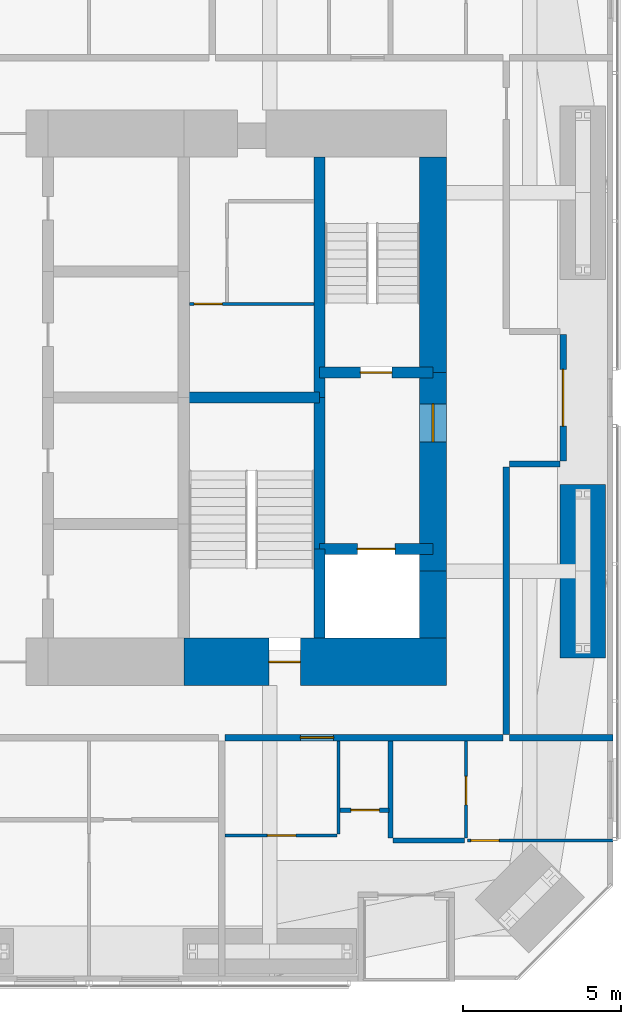
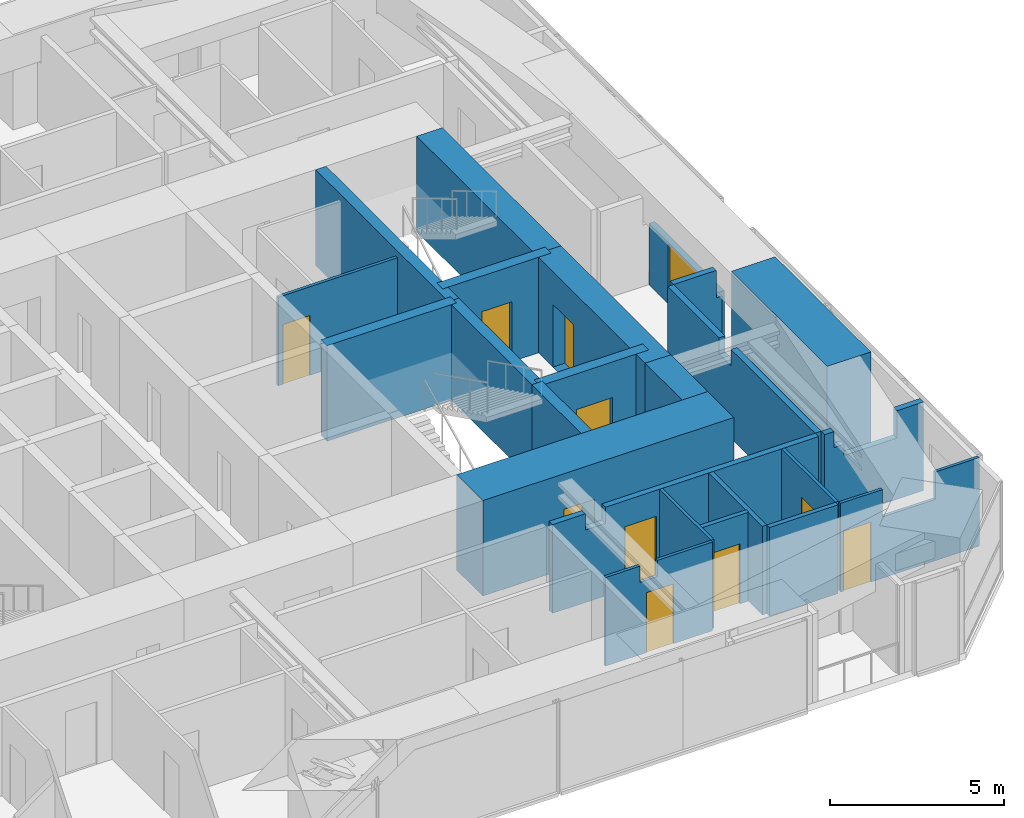
# One storey, part 20 of 23: 24 walls, 11 doors, 11 openings.
"""IFC4 building model written with IfcOpenShell, lengths in metres."""

from ifc_helpers import new_model, si_unit, direction, frame, frame_2d, origin, place, context, subcontext, project, spatial, polyline, rectangle, outline, extrude, material, layer, layer_set, constituent, constituent_set, type_object, element, fill, save


model = new_model("IFC4")

# Units and contexts
model_context = context("Model", 3, precision=1e-05, world=origin(), true_north=direction((0.0, 1.0)))
body_context = subcontext(model_context, "Body", "Model", "MODEL_VIEW")
ifc_project = project(units=[si_unit("LENGTHUNIT", "METRE"), si_unit("AREAUNIT", "SQUARE_METRE"), si_unit("VOLUMEUNIT", "CUBIC_METRE"), si_unit("PLANEANGLEUNIT", "RADIAN"), si_unit("MASSUNIT", "GRAM", prefix="KILO")], contexts=[model_context])

# Site, building, storey
site_placement = place(None, origin())
site = spatial("IfcSite", under=ifc_project, at=site_placement, CompositionType="ELEMENT")
building_placement = place(site_placement, origin())
building = spatial("IfcBuilding", under=site, at=building_placement, Name="Jalousie Tower", CompositionType="ELEMENT")
storey_placement = place(building_placement, frame((0.0, 0.0, 114.89990234375)))
storey = spatial("IfcBuildingStorey", under=building, at=storey_placement, Name="L31", CompositionType="ELEMENT", Elevation=114.89990234375)

# Walls
ifc_material_1 = material(Name="Concrete block ASTM C90", Category="concrete")
ifc_constituent_1 = constituent(ifc_material_1, Name="Body")
ifc_material_2 = material(Name="Render")
ifc_constituent_2 = constituent(ifc_material_2, Name="Finish")
ifc_constituent_set_1 = constituent_set(constituents=[ifc_constituent_1, ifc_constituent_2])
wall_type_1 = type_object("IfcWallType", Name="BATHROOM WALL 150", PredefinedType="PLUMBINGWALL", material=ifc_constituent_set_1)
wall_1_placement = place(storey_placement, frame((42.52490234375, 4.4638671875, 0.0), z_axis=(0.0, 0.0, 1.0), x_axis=(1.0, 0.0, 0.0)))
element("IfcWall", 1, at=wall_1_placement, inside=storey, type_object=wall_type_1, Name="Bathroom Wall 150 L31", PredefinedType="PLUMBINGWALL", context=body_context, shape_type="SweptSolid", body=[
    extrude(rectangle(XDim=2.275146484375, YDim=0.14990234375, at=frame_2d((1.1376953125, 0.0))), origin(), (0.0, 0.0, 1.0), 3.110107421875),
])
wall_2_placement = place(storey_placement, frame((42.449951171875, 4.538818359375, 0.0), z_axis=(0.0, 0.0, 1.0), x_axis=(0.0, 1.0, 0.0)))
element("IfcWall", 2, at=wall_2_placement, inside=storey, type_object=wall_type_1, Name="Bathroom Wall 150 L31", PredefinedType="PLUMBINGWALL", context=body_context, shape_type="SweptSolid", body=[
    extrude(rectangle(XDim=3.086181640625, YDim=0.14990234375, at=frame_2d((1.54296875, 0.0))), origin(), (0.0, 0.0, 1.0), 3.110107421875),
])

# Wall, opening, door
wall_3_placement = place(storey_placement, frame((40.85009765625, 5.425048828125, 0.0), z_axis=(0.0, 0.0, 1.0), x_axis=(1.0, 0.0, 0.0)))
wall_3 = element("IfcWall", 3, at=wall_3_placement, inside=storey, type_object=wall_type_1, Name="Bathroom Wall 150 L31", PredefinedType="PLUMBINGWALL", context=body_context, shape_type="SweptSolid", body=[
    extrude(rectangle(XDim=1.5498046875, YDim=0.14990234375, at=frame_2d((0.77490234375, 0.0))), origin(), (0.0, 0.0, 1.0), 3.110107421875),
])
opening_1_placement = place(wall_3_placement, frame((0.35009765625, 0.0, 0.0)))
opening_1 = element("IfcOpeningElement", 4, at=opening_1_placement, cuts=wall_3, Name="Opening D7", PredefinedType="OPENING", context=body_context, shape_type="SweptSolid", body=[
    extrude(rectangle(XDim=0.89990234375, YDim=2.10009765625, at=frame_2d((0.449951171875, 1.050048828125))), frame((0.0, 0.0849609375, 0.0), z_axis=(0.0, -1.0, 0.0), x_axis=(1.0, 0.0, 0.0)), (0.0, 0.0, 1.0), 0.169921875),
])
ifc_material_3 = material(Name="Timber door", Category="wood")
door_type_1 = type_object("IfcDoorType", Name="INTERNAL DOOR 900", OperationType="SINGLE_SWING_LEFT", PredefinedType="DOOR", material=ifc_material_3)
door_1_placement = place(opening_1_placement, origin())
door_1 = element("IfcDoor", 5, at=door_1_placement, inside=storey, type_object=door_type_1, Name="Apartment 3102 guest WC door", OperationType="SINGLE_SWING_RIGHT", OverallHeight=2.10009765625, OverallWidth=0.89990234375, PredefinedType="DOOR", context=body_context, shape_type="SweptSolid", body=[
    extrude(rectangle(XDim=0.89990234375, YDim=2.10009765625, at=frame_2d((0.449951171875, 1.050048828125))), frame((0.0, 0.02490234375, 0.0), z_axis=(0.0, -1.0, 0.0), x_axis=(1.0, 0.0, 0.0)), (0.0, 0.0, 1.0), 0.050048828125),
])
fill(opening_1, door_1)

ifc_material_4 = material(Name="Concrete f'c 120 MPa", Category="concrete")
ifc_layer_1 = layer(ifc_material_4, 1.5)
ifc_layer_set_1 = layer_set([ifc_layer_1], Name="Concrete f'c 120 MPa")
wall_type_2 = type_object("IfcWallType", Name="CORE WALL 1500", PredefinedType="SHEAR", material=ifc_layer_set_1)
wall_4_placement = place(storey_placement, frame((35.89990234375, 10.125, 0.0), z_axis=(0.0, 0.0, 1.0), x_axis=(1.0, 0.0, 0.0)))
wall_4 = element("IfcWall", 6, at=wall_4_placement, inside=storey, type_object=wall_type_2, Name="Core wall SD L31", PredefinedType="SHEAR", context=body_context, shape_type="SweptSolid", body=[
    extrude(rectangle(XDim=8.3251953125, YDim=1.5, at=frame_2d((4.16259765625, 0.0))), origin(), (0.0, 0.0, 1.0), 3.35009765625),
])
opening_2_placement = place(wall_4_placement, frame((2.699951171875, 0.0, 0.0)))
opening_2 = element("IfcOpeningElement", 7, at=opening_2_placement, cuts=wall_4, Name="Opening D10", PredefinedType="OPENING", context=body_context, shape_type="SweptSolid", body=[
    extrude(rectangle(XDim=1.0, YDim=2.10009765625, at=frame_2d((0.5, 1.050048828125))), frame((0.0, 0.760009765625, 0.0), z_axis=(0.0, -1.0, 0.0), x_axis=(1.0, 0.0, 0.0)), (0.0, 0.0, 1.0), 1.52001953125),
])
ifc_material_5 = material(Name="Steel fire door", Category="steel")
door_type_2 = type_object("IfcDoorType", Name="STAIR DOOR 1000", OperationType="SINGLE_SWING_LEFT", PredefinedType="DOOR", material=ifc_material_5)
door_2_placement = place(opening_2_placement, origin())
door_2 = element("IfcDoor", 8, at=door_2_placement, inside=storey, type_object=door_type_2, Name="Exit stair C door", OperationType="SINGLE_SWING_RIGHT", OverallHeight=2.10009765625, OverallWidth=1.0, PredefinedType="DOOR", context=body_context, shape_type="SweptSolid", body=[
    extrude(rectangle(XDim=1.0, YDim=2.10009765625, at=frame_2d((0.5, 1.050048828125))), frame((0.0, 0.02490234375, 0.0), z_axis=(0.0, -1.0, 0.0), x_axis=(1.0, 0.0, 0.0)), (0.0, 0.0, 1.0), 0.050048828125),
])
fill(opening_2, door_2)

# Walls
ifc_material_6 = material(Name="Concrete f'c 120 MPa", Category="concrete")
ifc_layer_2 = layer(ifc_material_6, 0.35009765625)
ifc_layer_set_2 = layer_set([ifc_layer_2], Name="Concrete f'c 120 MPa")
wall_type_3 = type_object("IfcWallType", Name="CORE WALL 350", PredefinedType="SHEAR", material=ifc_layer_set_2)
wall_5_placement = place(storey_placement, frame((40.199951171875, 10.875, 0.0), z_axis=(0.0, 0.0, 1.0), x_axis=(0.0, 1.0, 0.0)))
element("IfcWall", 9, at=wall_5_placement, inside=storey, type_object=wall_type_3, Name="Core wall X40.2A L31", PredefinedType="SHEAR", context=body_context, shape_type="SweptSolid", body=[
    extrude(rectangle(XDim=2.824951171875, YDim=0.35009765625, at=frame_2d((1.41259765625, 0.0))), origin(), (0.0, 0.0, 1.0), 3.35009765625),
])
wall_6_placement = place(storey_placement, frame((40.199951171875, 13.699951171875, 0.0), z_axis=(0.0, 0.0, 1.0), x_axis=(0.0, 1.0, 0.0)))
element("IfcWall", 10, at=wall_6_placement, inside=storey, type_object=wall_type_3, Name="Core wall X40.2B L31", PredefinedType="SHEAR", context=body_context, shape_type="SweptSolid", body=[
    extrude(rectangle(XDim=4.800048828125, YDim=0.35009765625, at=frame_2d((2.39990234375, 0.0))), origin(), (0.0, 0.0, 1.0), 3.35009765625),
])
wall_7_placement = place(storey_placement, frame((40.199951171875, 18.5, 0.0), z_axis=(0.0, 0.0, 1.0), x_axis=(0.0, 1.0, 0.0)))
element("IfcWall", 11, at=wall_7_placement, inside=storey, type_object=wall_type_3, Name="Core wall X40.2C L31", PredefinedType="SHEAR", context=body_context, shape_type="SweptSolid", body=[
    extrude(rectangle(XDim=7.625, YDim=0.35009765625, at=frame_2d((3.8125, 0.0))), origin(), (0.0, 0.0, 1.0), 3.35009765625),
])
wall_8_placement = place(storey_placement, frame((35.89990234375, 18.5, 0.0), z_axis=(0.0, 0.0, 1.0), x_axis=(1.0, 0.0, 0.0)))
element("IfcWall", 12, at=wall_8_placement, inside=storey, type_object=wall_type_3, Name="Core wall Y35.9-18.5 L31", PredefinedType="SHEAR", context=body_context, shape_type="SweptSolid", body=[
    extrude(rectangle(XDim=4.300048828125, YDim=0.35009765625, at=frame_2d((2.14990234375, 0.0))), origin(), (0.0, 0.0, 1.0), 3.35009765625),
])

# Wall, opening, door
wall_9_placement = place(storey_placement, frame((40.199951171875, 13.699951171875, 0.0), z_axis=(0.0, 0.0, 1.0), x_axis=(1.0, 0.0, 0.0)))
wall_9 = element("IfcWall", 13, at=wall_9_placement, inside=storey, type_object=wall_type_3, Name="Core wall Y40.2-13.7 L31", PredefinedType="SHEAR", context=body_context, shape_type="SweptSolid", body=[
    extrude(rectangle(XDim=3.60009765625, YDim=0.35009765625, at=frame_2d((1.800048828125, 0.0))), origin(), (0.0, 0.0, 1.0), 3.35009765625),
])
opening_3_placement = place(wall_9_placement, frame((1.199951171875, 0.0, 0.0)))
opening_3 = element("IfcOpeningElement", 14, at=opening_3_placement, cuts=wall_9, Name="Opening LD2", PredefinedType="OPENING", context=body_context, shape_type="SweptSolid", body=[
    extrude(rectangle(XDim=1.199951171875, YDim=2.10009765625, at=frame_2d((0.60009765625, 1.050048828125))), frame((0.0, 0.18505859375, 0.0), z_axis=(0.0, -1.0, 0.0), x_axis=(1.0, 0.0, 0.0)), (0.0, 0.0, 1.0), 0.3701171875),
])
ifc_material_7 = material(Name="Steel lift landing door", Category="steel")
door_type_3 = type_object("IfcDoorType", Name="LIFT LANDING DOOR 1200", OperationType="SLIDING_TO_LEFT", PredefinedType="DOOR", material=ifc_material_7)
door_3_placement = place(opening_3_placement, origin())
door_3 = element("IfcDoor", 15, at=door_3_placement, inside=storey, type_object=door_type_3, Name="Lift F2 landing door", OperationType="SLIDING_TO_LEFT", OverallHeight=2.10009765625, OverallWidth=1.199951171875, PredefinedType="DOOR", context=body_context, shape_type="SweptSolid", body=[
    extrude(rectangle(XDim=1.199951171875, YDim=2.10009765625, at=frame_2d((0.60009765625, 1.050048828125))), frame((0.0, 0.02490234375, 0.0), z_axis=(0.0, -1.0, 0.0), x_axis=(1.0, 0.0, 0.0)), (0.0, 0.0, 1.0), 0.050048828125),
])
fill(opening_3, door_3)

wall_10_placement = place(storey_placement, frame((40.199951171875, 19.300048828125, 0.0), z_axis=(0.0, 0.0, 1.0), x_axis=(1.0, 0.0, 0.0)))
wall_10 = element("IfcWall", 16, at=wall_10_placement, inside=storey, type_object=wall_type_3, Name="Core wall Y40.2-19.3 L31", PredefinedType="SHEAR", context=body_context, shape_type="SweptSolid", body=[
    extrude(rectangle(XDim=3.60009765625, YDim=0.35009765625, at=frame_2d((1.800048828125, 0.0))), origin(), (0.0, 0.0, 1.0), 3.35009765625),
])
opening_4_placement = place(wall_10_placement, frame((1.300048828125, 0.0, 0.0)))
opening_4 = element("IfcOpeningElement", 17, at=opening_4_placement, cuts=wall_10, Name="Opening D10", PredefinedType="OPENING", context=body_context, shape_type="SweptSolid", body=[
    extrude(rectangle(XDim=1.0, YDim=2.10009765625, at=frame_2d((0.5, 1.050048828125))), frame((0.0, 0.18505859375, 0.0), z_axis=(0.0, -1.0, 0.0), x_axis=(1.0, 0.0, 0.0)), (0.0, 0.0, 1.0), 0.3701171875),
])
door_4_placement = place(opening_4_placement, origin())
door_4 = element("IfcDoor", 18, at=door_4_placement, inside=storey, type_object=door_type_2, Name="Exit stair B door", OperationType="SINGLE_SWING_RIGHT", OverallHeight=2.10009765625, OverallWidth=1.0, PredefinedType="DOOR", context=body_context, shape_type="SweptSolid", body=[
    extrude(rectangle(XDim=1.0, YDim=2.10009765625, at=frame_2d((0.5, 1.050048828125))), frame((0.0, 0.02490234375, 0.0), z_axis=(0.0, -1.0, 0.0), x_axis=(1.0, 0.0, 0.0)), (0.0, 0.0, 1.0), 0.050048828125),
])
fill(opening_4, door_4)

# Wall
ifc_material_8 = material(Name="Concrete f'c 120 MPa", Category="concrete")
ifc_layer_3 = layer(ifc_material_8, 0.85009765625)
ifc_layer_set_3 = layer_set([ifc_layer_3], Name="Concrete f'c 120 MPa")
wall_type_4 = type_object("IfcWallType", Name="CORE WALL 850", PredefinedType="SHEAR", material=ifc_layer_set_3)
wall_11_placement = place(storey_placement, frame((43.800048828125, 10.875, 0.0), z_axis=(0.0, 0.0, 1.0), x_axis=(0.0, 1.0, 0.0)))
element("IfcWall", 19, at=wall_11_placement, inside=storey, type_object=wall_type_4, Name="Core wall EA L31", PredefinedType="SHEAR", context=body_context, shape_type="SweptSolid", body=[
    extrude(rectangle(XDim=2.125, YDim=0.85009765625, at=frame_2d((1.0625, 0.0))), origin(), (0.0, 0.0, 1.0), 3.35009765625),
])

# Wall, opening, door
wall_12_placement = place(storey_placement, frame((43.800048828125, 13.0, 0.0), z_axis=(0.0, 0.0, 1.0), x_axis=(0.0, 1.0, 0.0)))
wall_12 = element("IfcWall", 20, at=wall_12_placement, inside=storey, type_object=wall_type_4, Name="Core wall EB L31", PredefinedType="SHEAR", context=body_context, shape_type="SweptSolid", body=[
    extrude(rectangle(XDim=6.300048828125, YDim=0.85009765625, at=frame_2d((3.14990234375, 0.0))), origin(), (0.0, 0.0, 1.0), 3.35009765625),
])
opening_5_placement = place(wall_12_placement, frame((4.10009765625, 0.0, 0.0)))
opening_5 = element("IfcOpeningElement", 21, at=opening_5_placement, cuts=wall_12, Name="Opening D11", PredefinedType="OPENING", context=body_context, shape_type="SweptSolid", body=[
    extrude(rectangle(XDim=1.199951171875, YDim=2.199951171875, at=frame_2d((0.60009765625, 1.10009765625))), frame((0.0, 0.43505859375, 0.0), z_axis=(0.0, -1.0, 0.0), x_axis=(1.0, 0.0, 0.0)), (0.0, 0.0, 1.0), 0.8701171875),
])
ifc_material_9 = material(Name="Steel fire door", Category="steel")
door_type_4 = type_object("IfcDoorType", Name="FIRE DOOR 1200", OperationType="SINGLE_SWING_LEFT", PredefinedType="DOOR", material=ifc_material_9)
door_5_placement = place(opening_5_placement, origin())
door_5 = element("IfcDoor", 22, at=door_5_placement, inside=storey, type_object=door_type_4, Name="Fire-fighting lobby B door", OperationType="SINGLE_SWING_RIGHT", OverallHeight=2.199951171875, OverallWidth=1.199951171875, PredefinedType="DOOR", context=body_context, shape_type="SweptSolid", body=[
    extrude(rectangle(XDim=1.199951171875, YDim=2.199951171875, at=frame_2d((0.60009765625, 1.10009765625))), frame((0.0, 0.02490234375, 0.0), z_axis=(0.0, -1.0, 0.0), x_axis=(1.0, 0.0, 0.0)), (0.0, 0.0, 1.0), 0.050048828125),
])
fill(opening_5, door_5)

# Wall
wall_13_placement = place(storey_placement, frame((43.800048828125, 19.300048828125, 0.0), z_axis=(0.0, 0.0, 1.0), x_axis=(0.0, 1.0, 0.0)))
element("IfcWall", 23, at=wall_13_placement, inside=storey, type_object=wall_type_4, Name="Core wall EC L31", PredefinedType="SHEAR", context=body_context, shape_type="SweptSolid", body=[
    extrude(rectangle(XDim=6.824951171875, YDim=0.85009765625, at=frame_2d((3.41259765625, 0.0))), origin(), (0.0, 0.0, 1.0), 3.35009765625),
])

# Wall, opening, door
ifc_material_10 = material(Name="Concrete block ASTM C90", Category="concrete")
ifc_constituent_3 = constituent(ifc_material_10, Name="Body")
ifc_material_11 = material(Name="Render")
ifc_constituent_4 = constituent(ifc_material_11, Name="Finish")
ifc_constituent_set_2 = constituent_set(constituents=[ifc_constituent_3, ifc_constituent_4])
wall_type_5 = type_object("IfcWallType", Name="CORRIDOR WALL 200", PredefinedType="PARTITIONING", material=ifc_constituent_set_2)
wall_14_placement = place(storey_placement, frame((37.199951171875, 7.72509765625, 0.0), z_axis=(0.0, 0.0, 1.0), x_axis=(1.0, 0.0, 0.0)))
wall_14 = element("IfcWall", 24, at=wall_14_placement, inside=storey, type_object=wall_type_5, Name="Corridor Wall 200 L31", PredefinedType="PARTITIONING", context=body_context, shape_type="SweptSolid", body=[
    extrude(outline(polyline([(0.0, 0.0), (8.824951171875, 0.0), (8.824951171875, 3.110107421875), (1.76220703125, 3.110107421875), (1.76220703125, 2.541015625), (1.087646484375, 2.541015625), (1.087646484375, 3.110107421875), (0.0, 3.110107421875), (0.0, 0.0)])), frame((0.0, 0.10009765625, 0.0), z_axis=(0.0, -1.0, 0.0), x_axis=(1.0, 0.0, 0.0)), (0.0, 0.0, 1.0), 0.199951171875),
])
opening_6_placement = place(wall_14_placement, frame((2.39990234375, 0.0, 0.0)))
opening_6 = element("IfcOpeningElement", 25, at=opening_6_placement, cuts=wall_14, Name="Opening D1", PredefinedType="OPENING", context=body_context, shape_type="SweptSolid", body=[
    extrude(rectangle(XDim=1.050048828125, YDim=2.199951171875, at=frame_2d((0.52490234375, 1.10009765625))), frame((0.0, 0.10986328125, 0.0), z_axis=(0.0, -1.0, 0.0), x_axis=(1.0, 0.0, 0.0)), (0.0, 0.0, 1.0), 0.219970703125),
])
ifc_material_12 = material(Name="Timber fire door", Category="wood")
door_type_5 = type_object("IfcDoorType", Name="APARTMENT ENTRANCE DOOR 1050", OperationType="SINGLE_SWING_LEFT", PredefinedType="DOOR", material=ifc_material_12)
door_6_placement = place(opening_6_placement, frame((1.050048828125, 0.0, 0.0), z_axis=(0.0, 0.0, 1.0), x_axis=(-1.0, 0.0, 0.0)))
door_6 = element("IfcDoor", 26, at=door_6_placement, inside=storey, type_object=door_type_5, Name="Apartment 3102 entrance", OperationType="SINGLE_SWING_LEFT", OverallHeight=2.199951171875, OverallWidth=1.050048828125, PredefinedType="DOOR", context=body_context, shape_type="SweptSolid", body=[
    extrude(rectangle(XDim=1.050048828125, YDim=2.199951171875, at=frame_2d((0.52490234375, 1.10009765625))), frame((0.0, 0.02490234375, 0.0), z_axis=(0.0, -1.0, 0.0), x_axis=(1.0, 0.0, 0.0)), (0.0, 0.0, 1.0), 0.050048828125),
])
fill(opening_6, door_6)

# Wall
wall_15_placement = place(storey_placement, frame((46.125, 7.824951171875, 0.0), z_axis=(0.0, 0.0, 1.0), x_axis=(0.0, 1.0, 0.0)))
element("IfcWall", 27, at=wall_15_placement, inside=storey, type_object=wall_type_5, Name="Corridor Wall 200 L31", PredefinedType="PARTITIONING", context=body_context, shape_type="SweptSolid", body=[
    extrude(outline(polyline([(0.0, 0.0), (8.47509765625, 0.0), (8.47509765625, 3.110107421875), (5.51220703125, 3.110107421875), (5.51220703125, 2.541015625), (4.837646484375, 2.541015625), (4.837646484375, 3.110107421875), (0.0, 3.110107421875), (0.0, 0.0)])), frame((0.0, 0.10009765625, 0.0), z_axis=(0.0, -1.0, 0.0), x_axis=(1.0, 0.0, 0.0)), (0.0, 0.0, 1.0), 0.199951171875),
])

# Wall, opening, door
wall_16_placement = place(storey_placement, frame((47.925048828125, 16.5, 0.0), z_axis=(0.0, 0.0, 1.0), x_axis=(0.0, 1.0, 0.0)))
wall_16 = element("IfcWall", 28, at=wall_16_placement, inside=storey, type_object=wall_type_5, Name="Corridor Wall 200 L31", PredefinedType="PARTITIONING", context=body_context, shape_type="SweptSolid", body=[
    extrude(outline(polyline([(0.0, 0.0), (4.0, 0.0), (4.0, 3.110107421875), (4.0, 2.150146484375), (0.0, 2.150146484375), (0.0, 3.110107421875), (0.0, 0.0)])), frame((0.0, 0.10009765625, 0.0), z_axis=(0.0, -1.0, 0.0), x_axis=(1.0, 0.0, 0.0)), (0.0, 0.0, 1.0), 0.199951171875),
])
opening_7_placement = place(wall_16_placement, frame((1.10009765625, 0.0, 0.0)))
opening_7 = element("IfcOpeningElement", 29, at=opening_7_placement, cuts=wall_16, Name="Opening D22", PredefinedType="OPENING", context=body_context, shape_type="SweptSolid", body=[
    extrude(rectangle(XDim=1.800048828125, YDim=2.10009765625, at=frame_2d((0.89990234375, 1.050048828125))), frame((0.0, 0.10986328125, 0.0), z_axis=(0.0, -1.0, 0.0), x_axis=(1.0, 0.0, 0.0)), (0.0, 0.0, 1.0), 0.219970703125),
])
ifc_material_13 = material(Name="Timber fire door", Category="wood")
door_type_6 = type_object("IfcDoorType", Name="CORRIDOR DOUBLE DOOR 1800", OperationType="DOUBLE_DOOR_SINGLE_SWING", PredefinedType="DOOR", material=ifc_material_13)
door_7_placement = place(opening_7_placement, frame((1.800048828125, 0.0, 0.0), z_axis=(0.0, 0.0, 1.0), x_axis=(-1.0, 0.0, 0.0)))
door_7 = element("IfcDoor", 30, at=door_7_placement, inside=storey, type_object=door_type_6, Name="Lounge door", OperationType="DOUBLE_DOOR_SINGLE_SWING", OverallHeight=2.10009765625, OverallWidth=1.800048828125, PredefinedType="DOOR", context=body_context, shape_type="SweptSolid", body=[
    extrude(rectangle(XDim=1.800048828125, YDim=2.10009765625, at=frame_2d((0.89990234375, 1.050048828125))), frame((0.0, 0.02490234375, 0.0), z_axis=(0.0, -1.0, 0.0), x_axis=(1.0, 0.0, 0.0)), (0.0, 0.0, 1.0), 0.050048828125),
])
fill(opening_7, door_7)

# Wall
wall_17_placement = place(storey_placement, frame((46.22509765625, 16.39990234375, 0.0), z_axis=(0.0, 0.0, 1.0), x_axis=(1.0, 0.0, 0.0)))
element("IfcWall", 31, at=wall_17_placement, inside=storey, type_object=wall_type_5, Name="Corridor Wall 200 L31", PredefinedType="PARTITIONING", context=body_context, shape_type="SweptSolid", body=[
    extrude(outline(polyline([(0.0, 0.0), (1.599853515625, 0.0), (1.60009765625, 3.110107421875), (1.60009765625, 2.150146484375), (1.4150390625, 2.150146484375), (1.4150390625, 3.110107421875), (0.0, 3.110107421875), (0.0, 0.0)])), frame((0.0, 0.10009765625, 0.0), z_axis=(0.0, -1.0, 0.0), x_axis=(1.0, 0.0, 0.0)), (0.0, 0.0, 1.0), 0.199951171875),
])

# Wall, opening, door
ifc_material_14 = material(Name="Gypsum board", Category="gypsum")
ifc_constituent_5 = constituent(ifc_material_14, Name="Body")
ifc_material_15 = material(Name="Light-gauge steel studs ASTM A653 SS Grade 33", Category="steel")
ifc_constituent_6 = constituent(ifc_material_15, Name="Framing")
ifc_constituent_set_3 = constituent_set(constituents=[ifc_constituent_5, ifc_constituent_6])
wall_type_6 = type_object("IfcWallType", Name="PARTITION 100", PredefinedType="PARTITIONING", material=ifc_constituent_set_3)
wall_18_placement = place(storey_placement, frame((44.85009765625, 4.538818359375, 0.0), z_axis=(0.0, 0.0, 1.0), x_axis=(0.0, 1.0, 0.0)))
wall_18 = element("IfcWall", 32, at=wall_18_placement, inside=storey, type_object=wall_type_6, Name="Partition 100 L31", PredefinedType="PARTITIONING", context=body_context, shape_type="SweptSolid", body=[
    extrude(rectangle(XDim=3.086181640625, YDim=0.10009765625, at=frame_2d((1.54296875, 0.0))), origin(), (0.0, 0.0, 1.0), 3.110107421875),
])
opening_8_placement = place(wall_18_placement, frame((1.0556640625, 0.0, 0.0)))
opening_8 = element("IfcOpeningElement", 33, at=opening_8_placement, cuts=wall_18, Name="Opening D3", PredefinedType="OPENING", context=body_context, shape_type="SweptSolid", body=[
    extrude(rectangle(XDim=0.89990234375, YDim=2.10009765625, at=frame_2d((0.449951171875, 1.050048828125))), frame((0.0, 0.06005859375, 0.0), z_axis=(0.0, -1.0, 0.0), x_axis=(1.0, 0.0, 0.0)), (0.0, 0.0, 1.0), 0.1201171875),
])
ifc_material_16 = material(Name="Timber door", Category="wood")
door_type_7 = type_object("IfcDoorType", Name="BATHROOM DOOR 900", OperationType="SINGLE_SWING_LEFT", PredefinedType="DOOR", material=ifc_material_16)
door_8_placement = place(opening_8_placement, origin())
door_8 = element("IfcDoor", 34, at=door_8_placement, inside=storey, type_object=door_type_7, Name="Apartment 3102 bedroom 1 bathroom door", OperationType="SINGLE_SWING_LEFT", OverallHeight=2.10009765625, OverallWidth=0.89990234375, PredefinedType="DOOR", context=body_context, shape_type="SweptSolid", body=[
    extrude(rectangle(XDim=0.89990234375, YDim=2.10009765625, at=frame_2d((0.449951171875, 1.050048828125))), frame((0.0, 0.02490234375, 0.0), z_axis=(0.0, -1.0, 0.0), x_axis=(1.0, 0.0, 0.0)), (0.0, 0.0, 1.0), 0.050048828125),
])
fill(opening_8, door_8)

wall_19_placement = place(storey_placement, frame((44.89990234375, 4.4638671875, 0.0), z_axis=(0.0, 0.0, 1.0), x_axis=(1.0, 0.0, 0.0)))
wall_19 = element("IfcWall", 35, at=wall_19_placement, inside=storey, type_object=wall_type_6, Name="Partition 100 L31", PredefinedType="PARTITIONING", context=body_context, shape_type="SweptSolid", body=[
    extrude(outline(polyline([(0.0, 0.0), (4.60009765625, 0.0), (4.60009765625, 3.110107421875), (3.136962890625, 3.110107421875), (3.136962890625, 2.150146484375), (1.39453125, 2.150146484375), (1.39453125, 3.110107421875), (0.0, 3.110107421875), (0.0, 0.0)])), frame((0.0, 0.050048828125, 0.0), z_axis=(0.0, -1.0, 0.0), x_axis=(1.0, 0.0, 0.0)), (0.0, 0.0, 1.0), 0.10009765625),
])
opening_9_placement = place(wall_19_placement, frame((0.10009765625, 0.0, 0.0)))
opening_9 = element("IfcOpeningElement", 36, at=opening_9_placement, cuts=wall_19, Name="Opening D2", PredefinedType="OPENING", context=body_context, shape_type="SweptSolid", body=[
    extrude(rectangle(XDim=0.89990234375, YDim=2.10009765625, at=frame_2d((0.449951171875, 1.050048828125))), frame((0.0, 0.06005859375, 0.0), z_axis=(0.0, -1.0, 0.0), x_axis=(1.0, 0.0, 0.0)), (0.0, 0.0, 1.0), 0.1201171875),
])
ifc_material_17 = material(Name="Timber door", Category="wood")
door_type_8 = type_object("IfcDoorType", Name="BEDROOM DOOR 900", OperationType="SINGLE_SWING_LEFT", PredefinedType="DOOR", material=ifc_material_17)
door_9_placement = place(opening_9_placement, origin())
door_9 = element("IfcDoor", 37, at=door_9_placement, inside=storey, type_object=door_type_8, Name="Apartment 3102 bedroom 1 door", OperationType="SINGLE_SWING_LEFT", OverallHeight=2.10009765625, OverallWidth=0.89990234375, PredefinedType="DOOR", context=body_context, shape_type="SweptSolid", body=[
    extrude(rectangle(XDim=0.89990234375, YDim=2.10009765625, at=frame_2d((0.449951171875, 1.050048828125))), frame((0.0, 0.02490234375, 0.0), z_axis=(0.0, -1.0, 0.0), x_axis=(1.0, 0.0, 0.0)), (0.0, 0.0, 1.0), 0.050048828125),
])
fill(opening_9, door_9)

wall_20_placement = place(storey_placement, frame((37.199951171875, 4.625, 0.0), z_axis=(0.0, 0.0, 1.0), x_axis=(1.0, 0.0, 0.0)))
wall_20 = element("IfcWall", 38, at=wall_20_placement, inside=storey, type_object=wall_type_6, Name="Partition 100 L31", PredefinedType="PARTITIONING", context=body_context, shape_type="SweptSolid", body=[
    extrude(outline(polyline([(0.0, 0.0), (3.550048828125, 0.0), (3.550048828125, 3.110107421875), (1.71240234375, 3.110107421875), (1.71240234375, 2.541015625), (1.1376953125, 2.541015625), (1.1376953125, 3.110107421875), (0.0, 3.110107421875), (0.0, 0.0)])), frame((0.0, 0.050048828125, 0.0), z_axis=(0.0, -1.0, 0.0), x_axis=(1.0, 0.0, 0.0)), (0.0, 0.0, 1.0), 0.10009765625),
])
opening_10_placement = place(wall_20_placement, frame((1.35009765625, 0.0, 0.0)))
opening_10 = element("IfcOpeningElement", 39, at=opening_10_placement, cuts=wall_20, Name="Opening D7", PredefinedType="OPENING", context=body_context, shape_type="SweptSolid", body=[
    extrude(rectangle(XDim=0.89990234375, YDim=2.10009765625, at=frame_2d((0.449951171875, 1.050048828125))), frame((0.0, 0.06005859375, 0.0), z_axis=(0.0, -1.0, 0.0), x_axis=(1.0, 0.0, 0.0)), (0.0, 0.0, 1.0), 0.1201171875),
])
door_10_placement = place(opening_10_placement, frame((0.89990234375, 0.0, 0.0), z_axis=(0.0, 0.0, 1.0), x_axis=(-1.0, 0.0, 0.0)))
door_10 = element("IfcDoor", 40, at=door_10_placement, inside=storey, type_object=door_type_1, Name="Apartment 3102 kitchen door", OperationType="SINGLE_SWING_RIGHT", OverallHeight=2.10009765625, OverallWidth=0.89990234375, PredefinedType="DOOR", context=body_context, shape_type="SweptSolid", body=[
    extrude(rectangle(XDim=0.89990234375, YDim=2.10009765625, at=frame_2d((0.449951171875, 1.050048828125))), frame((0.0, 0.02490234375, 0.0), z_axis=(0.0, -1.0, 0.0), x_axis=(1.0, 0.0, 0.0)), (0.0, 0.0, 1.0), 0.050048828125),
])
fill(opening_10, door_10)

# Wall
wall_21_placement = place(storey_placement, frame((40.800048828125, 4.675048828125, 0.0), z_axis=(0.0, 0.0, 1.0), x_axis=(0.0, 1.0, 0.0)))
element("IfcWall", 41, at=wall_21_placement, inside=storey, type_object=wall_type_6, Name="Partition 100 L31", PredefinedType="PARTITIONING", context=body_context, shape_type="SweptSolid", body=[
    extrude(rectangle(XDim=2.949951171875, YDim=0.10009765625, at=frame_2d((1.47509765625, 0.0))), origin(), (0.0, 0.0, 1.0), 3.110107421875),
])

# Wall, opening, door
wall_22_placement = place(storey_placement, frame((36.074951171875, 21.47509765625, 0.0), z_axis=(0.0, 0.0, 1.0), x_axis=(1.0, 0.0, 0.0)))
wall_22 = element("IfcWall", 42, at=wall_22_placement, inside=storey, type_object=wall_type_6, Name="Partition 100 L31", PredefinedType="PARTITIONING", context=body_context, shape_type="SweptSolid", body=[
    extrude(rectangle(XDim=3.949951171875, YDim=0.10009765625, at=frame_2d((1.97509765625, 0.0))), origin(), (0.0, 0.0, 1.0), 3.110107421875),
])
opening_11_placement = place(wall_22_placement, frame((0.14990234375, 0.0, 0.0)))
opening_11 = element("IfcOpeningElement", 43, at=opening_11_placement, cuts=wall_22, Name="Opening D7", PredefinedType="OPENING", context=body_context, shape_type="SweptSolid", body=[
    extrude(rectangle(XDim=0.89990234375, YDim=2.10009765625, at=frame_2d((0.449951171875, 1.050048828125))), frame((0.0, 0.06005859375, 0.0), z_axis=(0.0, -1.0, 0.0), x_axis=(1.0, 0.0, 0.0)), (0.0, 0.0, 1.0), 0.1201171875),
])
door_11_placement = place(opening_11_placement, frame((0.89990234375, 0.0, 0.0), z_axis=(0.0, 0.0, 1.0), x_axis=(-1.0, 0.0, 0.0)))
door_11 = element("IfcDoor", 44, at=door_11_placement, inside=storey, type_object=door_type_1, Name="Linen store door", OperationType="SINGLE_SWING_RIGHT", OverallHeight=2.10009765625, OverallWidth=0.89990234375, PredefinedType="DOOR", context=body_context, shape_type="SweptSolid", body=[
    extrude(rectangle(XDim=0.89990234375, YDim=2.10009765625, at=frame_2d((0.449951171875, 1.050048828125))), frame((0.0, 0.02490234375, 0.0), z_axis=(0.0, -1.0, 0.0), x_axis=(1.0, 0.0, 0.0)), (0.0, 0.0, 1.0), 0.050048828125),
])
fill(opening_11, door_11)

# Walls
ifc_material_18 = material(Name="Concrete block ASTM C90", Category="concrete")
ifc_constituent_7 = constituent(ifc_material_18, Name="Body")
ifc_material_19 = material(Name="Render")
ifc_constituent_8 = constituent(ifc_material_19, Name="Finish")
ifc_constituent_set_4 = constituent_set(constituents=[ifc_constituent_7, ifc_constituent_8])
wall_type_7 = type_object("IfcWallType", Name="PARTY WALL 200", PredefinedType="PARTITIONING", material=ifc_constituent_set_4)
wall_23_placement = place(storey_placement, frame((46.22509765625, 7.72509765625, 0.0), z_axis=(0.0, 0.0, 1.0), x_axis=(1.0, 0.0, 0.0)))
element("IfcWall", 45, at=wall_23_placement, inside=storey, type_object=wall_type_7, Name="Party Wall 200 L31", PredefinedType="PARTITIONING", context=body_context, shape_type="SweptSolid", body=[
    extrude(outline(polyline([(0.0, 0.0), (3.27490234375, 0.0), (3.27490234375, 3.110107421875), (2.3916015625, 3.110107421875), (2.3916015625, 2.150146484375), (0.642822265625, 2.150146484375), (0.642822265625, 2.541015625), (0.30615234375, 2.541015625), (0.30615234375, 3.110107421875), (0.0, 3.110107421875), (0.0, 0.0)])), frame((0.0, 0.10009765625, 0.0), z_axis=(0.0, -1.0, 0.0), x_axis=(1.0, 0.0, 0.0)), (0.0, 0.0, 1.0), 0.199951171875),
])
ifc_material_20 = material(Name="Concrete f'c 120 MPa", Category="concrete")
ifc_layer_4 = layer(ifc_material_20, 1.449951171875)
ifc_layer_set_4 = layer_set([ifc_layer_4], Name="Concrete f'c 120 MPa")
wall_type_8 = type_object("IfcWallType", Name="RC WALL PIER 1450", PredefinedType="SHEAR", material=ifc_layer_set_4)
wall_24_placement = place(storey_placement, frame((48.550048828125, 10.25, 0.0), z_axis=(0.0, 0.0, 1.0), x_axis=(0.0, 1.0, 0.0)))
element("IfcWall", 46, at=wall_24_placement, inside=storey, type_object=wall_type_8, Name="Wall pier 06 L31", PredefinedType="SHEAR", context=body_context, shape_type="SweptSolid", body=[
    extrude(rectangle(XDim=5.5, YDim=1.449951171875, at=frame_2d((2.75, 0.0))), origin(), (0.0, 0.0, 1.0), 3.35009765625),
])

save(model, "model.ifc")
